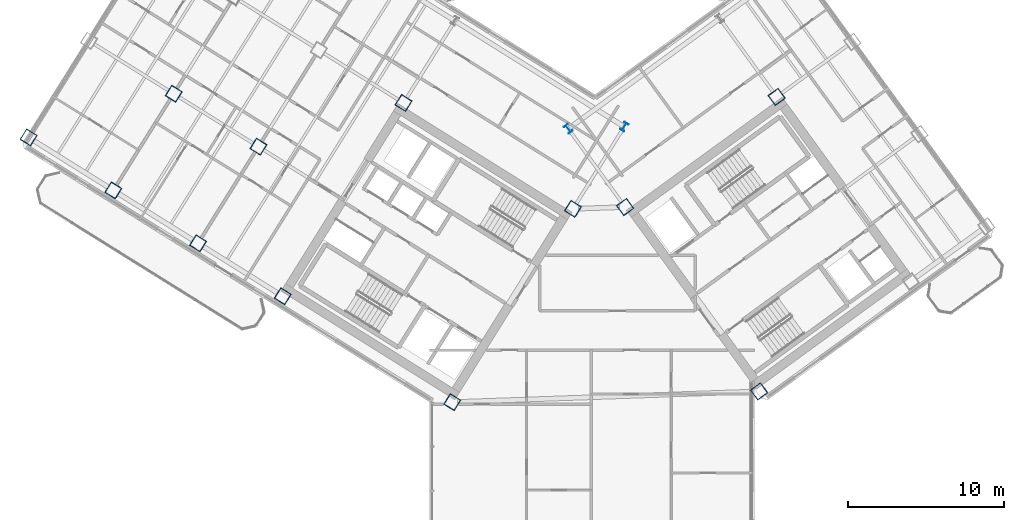
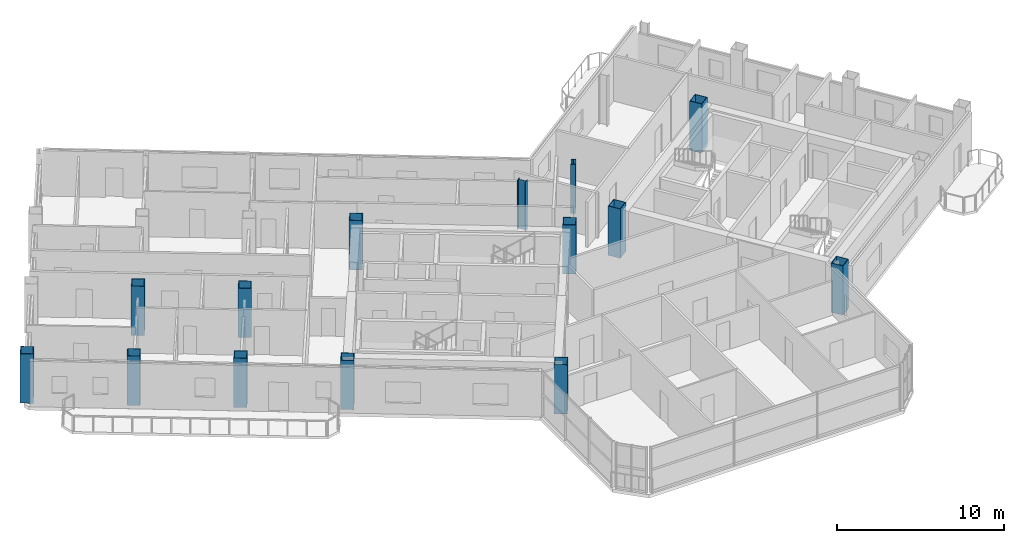
# One storey, part 1 of 21: 14 columns.
"""IFC4 building model written with IfcOpenShell, lengths in metres."""

from ifc_helpers import new_model, si_unit, direction, frame, origin, origin_2d, place, context, subcontext, project, spatial, hollow_rectangle, i_section, extrude, source, transform, mapped, material, material_profile, profile_set, type_object, element, save


model = new_model("IFC4")

# Units and contexts
model_context = context("Model", 3, precision=1e-05, world=origin(), true_north=direction((0.0, 1.0)))
body_context = subcontext(model_context, "Body", "Model", "MODEL_VIEW")
ifc_project = project(units=[si_unit("LENGTHUNIT", "METRE"), si_unit("AREAUNIT", "SQUARE_METRE"), si_unit("VOLUMEUNIT", "CUBIC_METRE"), si_unit("PLANEANGLEUNIT", "RADIAN"), si_unit("MASSUNIT", "GRAM", prefix="KILO")], contexts=[model_context])

# Site, building, storey
site_placement = place(None, origin())
site = spatial("IfcSite", under=ifc_project, at=site_placement, CompositionType="ELEMENT")
building_placement = place(site_placement, origin())
building = spatial("IfcBuilding", under=site, at=building_placement, Name="Tlacorven Tower", CompositionType="ELEMENT")
storey_placement = place(building_placement, frame((0.0, 0.0, 191.39990234375)))
storey = spatial("IfcBuildingStorey", under=building, at=storey_placement, Name="L48", CompositionType="ELEMENT", Elevation=191.39990234375)

# Columns
ifc_material = material(Name="Steel S460M", Category="steel")
ifc_material_profile_1 = material_profile(ifc_material, i_section(OverallWidth=0.300048828125, OverallDepth=0.550048828125, WebThickness=0.014892578125, FlangeThickness=0.029052734375, at=origin_2d()), Name="HEB 550")
ifc_profile_set_1 = profile_set([ifc_material_profile_1], Name="Steel S460M")
column_type_1 = type_object("IfcColumnType", Name="COL-TWR-P2", PredefinedType="COLUMN", material=ifc_profile_set_1)
shared_shape_1 = source(origin(), body_context, "Body", "SweptSolid", [
    extrude(i_section(OverallWidth=0.300048828125, OverallDepth=0.550048828125, WebThickness=0.014892578125, FlangeThickness=0.029052734375, at=origin_2d()), origin(), (0.0, 0.0, 1.0), 3.60009765625),
])
for number, where, z_axis, x_axis, name in (
    (1, (44.068359375, 29.726318359375, 0.0), (0.0, 0.0, 1.0), (-0.848048096156, 0.529919264233, 0.0), "L48 column COL-L48-W1-1"),
    (2, (40.4794921875, 29.60107421875, 0.0), (0.0, 0.0, 1.0), (0.809016994375, 0.587785252292, 0.0), "L48 column COL-L48-E1-4"),
):
    element("IfcColumn", number, at=place(storey_placement, frame(where, z_axis=z_axis, x_axis=x_axis)), inside=storey, type_object=column_type_1, Name=name, PredefinedType="COLUMN", context=body_context, shape_type="MappedRepresentation", body=[
        mapped(shared_shape_1, transform((0.0, 0.0, 0.0), scale=1.0)),
    ])
ifc_material_profile_2 = material_profile(ifc_material, hollow_rectangle(XDim=0.800048828125, YDim=0.800048828125, WallThickness=0.031982421875, at=origin_2d()), Name="BOX 800X800X32")
ifc_profile_set_2 = profile_set([ifc_material_profile_2], Name="Steel S460M")
column_type_2 = type_object("IfcColumnType", Name="COL-TWR-S3", PredefinedType="COLUMN", material=ifc_profile_set_2)
shared_shape_2 = source(origin(), body_context, "Body", "SweptSolid", [
    extrude(hollow_rectangle(XDim=0.800048828125, YDim=0.800048828125, WallThickness=0.031982421875, at=origin_2d()), origin(), (0.0, 0.0, 1.0), 3.60009765625),
])
for number, where, z_axis, x_axis, name in (
    (3, (40.782958984375, 24.468505859375, 0.0), (0.0, 0.0, 1.0), (-0.848048096156, 0.529919264233, 0.0), "L48 column COL-L48-W1-2"),
    (4, (33.046142578125, 12.0869140625, 0.0), (0.0, 0.0, 1.0), (-0.848048096156, 0.529919264233, 0.0), "L48 column COL-L48-W1-4"),
    (5, (29.927978515625, 31.25146484375, 0.0), (0.0, 0.0, 1.0), (-0.848048096156, 0.529919264233, 0.0), "L48 column COL-L48-W3-2"),
    (6, (22.191162109375, 18.869873046875, 0.0), (0.0, 0.0, 1.0), (-0.848048096156, 0.529919264233, 0.0), "L48 column COL-L48-W3-4"),
    (7, (20.632080078125, 28.4521484375, 0.0), (0.0, 0.0, 1.0), (-0.848048096156, 0.529919264233, 0.0), "L48 column COL-L48-W4-3"),
    (8, (16.763671875, 22.26123046875, 0.0), (0.0, 0.0, 1.0), (-0.848048096156, 0.529919264233, 0.0), "L48 column COL-L48-W4-4"),
    (9, (15.20458984375, 31.843505859375, 0.0), (0.0, 0.0, 1.0), (-0.848048096156, 0.529919264233, 0.0), "L48 column COL-L48-W5-3"),
    (10, (11.336181640625, 25.65283203125, 0.0), (0.0, 0.0, 1.0), (-0.848048096156, 0.529919264233, 0.0), "L48 column COL-L48-W5-4"),
    (11, (5.90869140625, 29.044189453125, 0.0), (0.0, 0.0, 1.0), (-0.848048096156, 0.529919264233, 0.0), "L48 column COL-L48-W6-4"),
    (12, (52.705322265625, 12.7734375, 0.0), (0.0, 0.0, 1.0), (0.809016994375, 0.587785252292, 0.0), "L48 column COL-L48-E1-1"),
    (13, (44.123779296875, 24.5849609375, 0.0), (0.0, 0.0, 1.0), (0.809016994375, 0.587785252292, 0.0), "L48 column COL-L48-E1-3"),
    (14, (53.83203125, 31.638427734375, 0.0), (0.0, 0.0, 1.0), (0.809016994375, 0.587785252292, 0.0), "L48 column COL-L48-E3-3"),
):
    element("IfcColumn", number, at=place(storey_placement, frame(where, z_axis=z_axis, x_axis=x_axis)), inside=storey, type_object=column_type_2, Name=name, PredefinedType="COLUMN", context=body_context, shape_type="MappedRepresentation", body=[
        mapped(shared_shape_2, transform((0.0, 0.0, 0.0), scale=1.0)),
    ])

save(model, "model.ifc")
